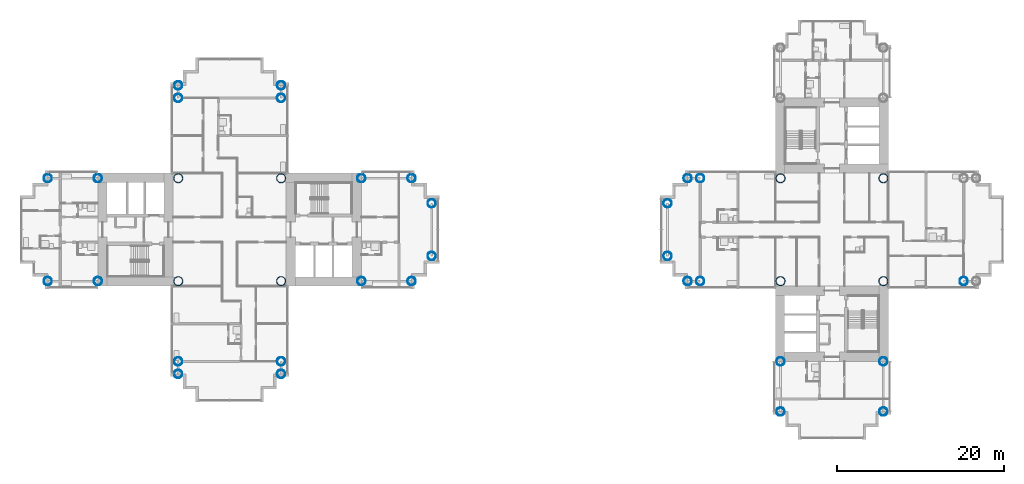
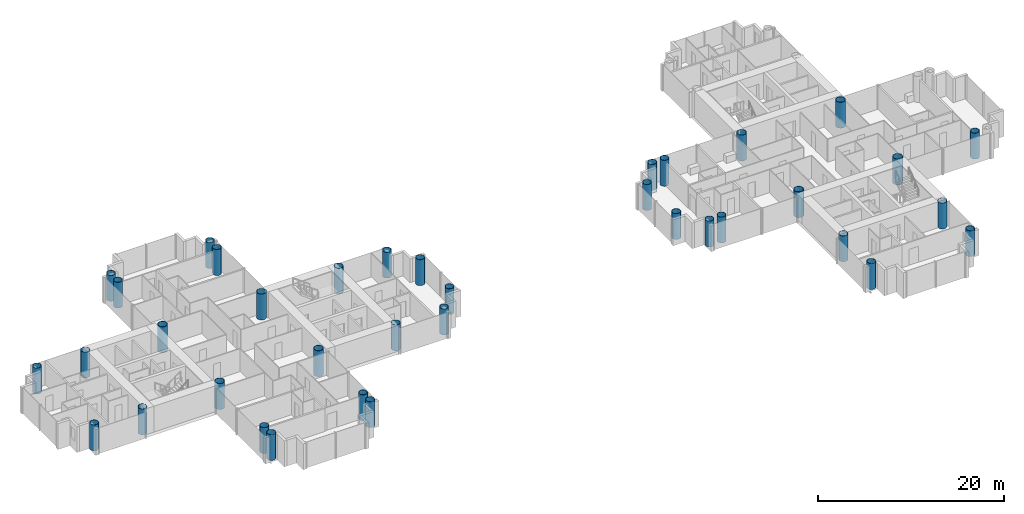
# One storey, part 1 of 21: 37 columns.
"""IFC4 building model written with IfcOpenShell, lengths in metres."""

import ifcopenshell
import ifcopenshell.guid

model = None  # the IFC model being written
_history = None  # IfcOwnerHistory: only IFC2X3 demands one
_inside = {}  # id of a spatial element -> (the spatial element, [elements in it])
_under = {}  # id of a project, library or spatial element -> (it, [spatial elements below it])
_declared = {}  # id of a project -> (the project, [libraries it declares])
_typed = {}  # id of a type object -> (the type object, [elements of that type])
_made_of = {}  # id of a material, layer set ... -> (it, [elements and type objects made of it])


def new_model(schema):
    """Start an empty IFC model of exactly this schema.

    Asked for "IFC4X3", IfcOpenShell would pick the latest addendum, in which some entities
    have other attributes; the version numbers below select the first issue.
    IFC2X3 requires an IfcOwnerHistory on every rooted entity: one is made here for all.
    """
    global model, _history
    if schema == "IFC4X3":
        model = ifcopenshell.file(schema_version=(4, 3, 0, 0))
    else:
        model = ifcopenshell.file(schema=schema)
    _inside.clear()
    _under.clear()
    _declared.clear()
    _typed.clear()
    _made_of.clear()
    _history = None
    if model.schema == "IFC2X3":
        org = make("IfcOrganization", Name="unknown")
        user = make(
            "IfcPersonAndOrganization",
            ThePerson=make("IfcPerson", FamilyName="unknown"),
            TheOrganization=org,
        )
        app = make(
            "IfcApplication",
            ApplicationDeveloper=org,
            Version="unknown",
            ApplicationFullName="unknown",
            ApplicationIdentifier="unknown",
        )
        _history = make(
            "IfcOwnerHistory",
            OwningUser=user,
            OwningApplication=app,
            ChangeAction="ADDED",
            CreationDate=0,
        )
    return model


def make(cls, **values):
    """One entity of the class cls with the attributes given. An attribute that is None is left unset."""
    return model.create_entity(
        cls, **{name: value for name, value in values.items() if value is not None}
    )


def rooted(cls, **values):
    """An entity with a GlobalId (a new one), such as an element, a storey or a relation."""
    return make(cls, GlobalId=ifcopenshell.guid.new(), OwnerHistory=_history, **values)


def si_unit(unit_type, name, prefix=None):
    """IfcSIUnit, for example si_unit("LENGTHUNIT", "METRE", prefix="MILLI")."""
    return make("IfcSIUnit", UnitType=unit_type, Prefix=prefix, Name=name)


def assignment(units):
    """IfcUnitAssignment: the units of a project."""
    return None if units is None else make("IfcUnitAssignment", Units=units)


def point(xyz):
    """IfcCartesianPoint."""
    return None if xyz is None else make("IfcCartesianPoint", Coordinates=xyz)


def direction(xyz):
    """IfcDirection."""
    return None if xyz is None else make("IfcDirection", DirectionRatios=xyz)


def frame(location, z_axis=None, x_axis=None):
    """IfcAxis2Placement3D, a coordinate frame: its origin and axes. An axis left out is left unset."""
    return make(
        "IfcAxis2Placement3D",
        Location=point(location),
        Axis=direction(z_axis),
        RefDirection=direction(x_axis),
    )


def frame_2d(location, x_axis=None):
    """IfcAxis2Placement2D, a coordinate frame in the plane: its origin and x axis."""
    return make(
        "IfcAxis2Placement2D", Location=point(location), RefDirection=direction(x_axis)
    )


def origin():
    """The frame at (0, 0, 0) with its axes left unset."""
    return frame((0.0, 0.0, 0.0))


def origin_2d():
    """The frame at (0, 0) in the plane with its x axis left unset."""
    return frame_2d((0.0, 0.0))


def place(relative_to, where):
    """IfcLocalPlacement: puts the frame where relative to a parent placement (None: the world)."""
    return make(
        "IfcLocalPlacement", PlacementRelTo=relative_to, RelativePlacement=where
    )


def context(
    kind, dimensions, precision=None, world=None, true_north=None, identifier=None
):
    """IfcGeometricRepresentationContext, for example the 3D "Model" context."""
    return make(
        "IfcGeometricRepresentationContext",
        ContextIdentifier=identifier,
        ContextType=kind,
        CoordinateSpaceDimension=dimensions,
        Precision=precision,
        WorldCoordinateSystem=world,
        TrueNorth=true_north,
    )


def subcontext(parent, identifier, kind, view, scale=None):
    """IfcGeometricRepresentationSubContext, for example "Body" below "Model"."""
    return make(
        "IfcGeometricRepresentationSubContext",
        ContextIdentifier=identifier,
        ContextType=kind,
        ParentContext=parent,
        TargetScale=scale,
        TargetView=view,
    )


def project(units=None, contexts=None):
    """IfcProject with its units and contexts."""
    return rooted(
        "IfcProject",
        Name="project",
        RepresentationContexts=contexts,
        UnitsInContext=assignment(units),
    )


def spatial(cls, under=None, at=None, **own):
    """A site, building, storey or space (cls), placed at a placement, below another one or the project."""
    s = rooted(cls, ObjectPlacement=at, **own)
    if under is not None:
        _under.setdefault(under.id(), (under, []))[1].append(s)
    return s


def profile(cls, at=None, kind="AREA", **sizes):
    """A parametric profile (cls). Its sizes go by their IFC names, for example OverallWidth=200.0."""
    return make(cls, ProfileType=kind, Position=at, **sizes)


def hollow_circle(**sizes):
    """IfcCircleHollowProfileDef."""
    return profile("IfcCircleHollowProfileDef", **sizes)


def extrude(swept, where, along, depth):
    """IfcExtrudedAreaSolid: the profile swept, set in the frame where, extruded along a direction by depth."""
    return make(
        "IfcExtrudedAreaSolid",
        SweptArea=swept,
        Position=where,
        ExtrudedDirection=direction(along),
        Depth=depth,
    )


def shape(context_of_items, identifier, shape_type, items):
    """IfcShapeRepresentation: the items that make up one representation, for example the "Body"."""
    return make(
        "IfcShapeRepresentation",
        ContextOfItems=context_of_items,
        RepresentationIdentifier=identifier,
        RepresentationType=shape_type,
        Items=items,
    )


def material(Name=None, Category=None):
    """IfcMaterial."""
    return make("IfcMaterial", Name=Name, Category=Category)


def material_profile(
    of_material, cross_section, Name=None, Category=None, Priority=None
):
    """IfcMaterialProfile: a cross section and its material."""
    return make(
        "IfcMaterialProfile",
        Name=Name,
        Material=of_material,
        Profile=cross_section,
        Priority=Priority,
        Category=Category,
    )


def profile_set(profiles, Name=None, composite=None):
    """IfcMaterialProfileSet."""
    return make(
        "IfcMaterialProfileSet",
        Name=Name,
        MaterialProfiles=profiles,
        CompositeProfile=composite,
    )


def made_of(thing, what):
    """Note that an element or type object is made of a material, layer set ...; save() writes the relation."""
    if what is not None:
        _made_of.setdefault(what.id(), (what, []))[1].append(thing)
    return thing


def type_object(cls, material=None, **own):
    """A type object (cls), such as IfcWallType, which elements share."""
    return made_of(rooted(cls, **own), material)


def element(
    cls,
    number,
    at=None,
    inside=None,
    cuts=None,
    type_object=None,
    material=None,
    context=None,
    identifier="Body",
    shape_type=None,
    held_by="IfcProductDefinitionShape",
    body=None,
    shapes=None,
    **own,
):
    """One element of the class cls, such as IfcWall. Its Tag is "e" and its number.

    at: its placement. inside: the storey or other place that contains it. cuts: it is an
    opening in that element (IfcRelVoidsElement). A single representation is given by context,
    identifier, shape_type and body (its items); several are given by shapes. held_by: the class
    of the entity that holds the representations. save() writes the other relations.
    """
    e = rooted(cls, Tag="e%d" % number, ObjectPlacement=at, **own)
    if body is not None:
        shapes = [shape(context, identifier, shape_type, body)]
    if shapes is not None:
        e.Representation = make(held_by, Representations=shapes)
    if inside is not None:
        _inside.setdefault(inside.id(), (inside, []))[1].append(e)
    if cuts is not None:
        rooted(
            "IfcRelVoidsElement", RelatingBuildingElement=cuts, RelatedOpeningElement=e
        )
    if type_object is not None:
        _typed.setdefault(type_object.id(), (type_object, []))[1].append(e)
    return made_of(e, material)


def aggregate(whole, parts):
    """IfcRelAggregates: a whole, such as a stair, and the parts it consists of."""
    return rooted("IfcRelAggregates", RelatingObject=whole, RelatedObjects=parts)


def save(model, path):
    """Write the relations noted so far, then the file.

    IfcRelAggregates (storeys below a building ...), IfcRelContainedInSpatialStructure (elements
    in a storey), IfcRelDefinesByType, IfcRelAssociatesMaterial and IfcRelDeclares: one each for
    every whole, place, type object, material and project.
    """
    for whole, parts in _under.values():
        aggregate(whole, parts)
    for where, things in _inside.values():
        rooted(
            "IfcRelContainedInSpatialStructure",
            RelatedElements=things,
            RelatingStructure=where,
        )
    for kind, things in _typed.values():
        rooted("IfcRelDefinesByType", RelatedObjects=things, RelatingType=kind)
    for what, things in _made_of.values():
        rooted("IfcRelAssociatesMaterial", RelatedObjects=things, RelatingMaterial=what)
    for by, libraries in _declared.values():
        rooted("IfcRelDeclares", RelatingContext=by, RelatedDefinitions=libraries)
    model.write(path)


model = new_model("IFC4")

# Units and contexts
model_context = context("Model", 3, precision=1e-05, world=origin(), true_north=direction((0.0, 1.0)))
body_context = subcontext(model_context, "Body", "Model", "MODEL_VIEW")
ifc_project = project(units=[si_unit("LENGTHUNIT", "METRE"), si_unit("AREAUNIT", "SQUARE_METRE"), si_unit("VOLUMEUNIT", "CUBIC_METRE"), si_unit("PLANEANGLEUNIT", "RADIAN"), si_unit("MASSUNIT", "GRAM", prefix="KILO")], contexts=[model_context])

# Site, building, storey
site_placement = place(None, origin())
site = spatial("IfcSite", under=ifc_project, at=site_placement, CompositionType="ELEMENT")
building_placement = place(site_placement, origin())
building = spatial("IfcBuilding", under=site, at=building_placement, Name="Ipe Terrace Towers", CompositionType="ELEMENT")
storey_placement = place(building_placement, frame((0.0, 0.0, 41.5)))
storey = spatial("IfcBuildingStorey", under=building, at=storey_placement, Name="L10", CompositionType="ELEMENT", Elevation=41.5)

# Columns
ifc_material_1 = material(Name="Steel S355 tube with Concrete C60/75 fill", Category="concrete")
ifc_material_profile_1 = material_profile(ifc_material_1, hollow_circle(Radius=0.5, WallThickness=0.035888671875, at=origin_2d()), Name="CHS-1000x36")
ifc_profile_set_1 = profile_set([ifc_material_profile_1], Name="Steel S355 tube with Concrete C60/75 fill")
column_type_1 = type_object("IfcColumnType", Name="CH01 COLUMN CHS-1000x36", PredefinedType="COLUMN", material=ifc_profile_set_1)
for number, where, z_axis, x_axis, name in (
    (1, (-20.25, -6.14990234375, 0.0), (0.0, 0.0, 1.0), (1.0, 0.0, 0.0), "Column T1-C-A01"),
    (2, (-20.25, 6.14990234375, 0.0), (0.0, 0.0, 1.0), (1.0, 0.0, 0.0), "Column T1-C-A02"),
    (3, (-14.25, -6.14990234375, 0.0), (0.0, 0.0, 1.0), (1.0, 0.0, 0.0), "Column T1-C-A03"),
    (4, (-14.25, 6.14990234375, 0.0), (0.0, 0.0, 1.0), (1.0, 0.0, 0.0), "Column T1-C-A04"),
    (5, (-11.85009765625, -3.14990234375, 0.0), (0.0, 0.0, 1.0), (1.0, 0.0, 0.0), "Column T1-C-A05"),
    (6, (-11.85009765625, 3.14990234375, 0.0), (0.0, 0.0, 1.0), (1.0, 0.0, 0.0), "Column T1-C-A06"),
    (7, (-29.85009765625, 15.75, 0.0), (0.0, 0.0, 1.0), (1.0, 0.0, 0.0), "Column T1-C-B03"),
    (8, (-42.14990234375, 15.75, 0.0), (0.0, 0.0, 1.0), (1.0, 0.0, 0.0), "Column T1-C-B04"),
    (9, (-29.85009765625, 17.25, 0.0), (0.0, 0.0, 1.0), (1.0, 0.0, 0.0), "Column T1-C-B05"),
    (10, (-42.14990234375, 17.25, 0.0), (0.0, 0.0, 1.0), (1.0, 0.0, 0.0), "Column T1-C-B06"),
    (11, (-51.75, -6.14990234375, 0.0), (0.0, 0.0, 1.0), (1.0, 0.0, 0.0), "Column T1-C-C01"),
    (12, (-51.75, 6.14990234375, 0.0), (0.0, 0.0, 1.0), (1.0, 0.0, 0.0), "Column T1-C-C02"),
    (13, (-57.75, -6.14990234375, 0.0), (0.0, 0.0, 1.0), (1.0, 0.0, 0.0), "Column T1-C-C03"),
    (14, (-57.75, 6.14990234375, 0.0), (0.0, 0.0, 1.0), (1.0, 0.0, 0.0), "Column T1-C-C04"),
    (15, (-42.14990234375, -15.75, 0.0), (0.0, 0.0, 1.0), (1.0, 0.0, 0.0), "Column T1-C-D03"),
    (16, (-29.85009765625, -15.75, 0.0), (0.0, 0.0, 1.0), (1.0, 0.0, 0.0), "Column T1-C-D04"),
    (17, (-42.14990234375, -17.25, 0.0), (0.0, 0.0, 1.0), (1.0, 0.0, 0.0), "Column T1-C-D05"),
    (18, (-29.85009765625, -17.25, 0.0), (0.0, 0.0, 1.0), (1.0, 0.0, 0.0), "Column T1-C-D06"),
    (19, (20.25, 6.14990234375, 0.0), (0.0, 0.0, 1.0), (1.0, 0.0, 0.0), "Column T2-C-B03"),
    (20, (20.25, -6.14990234375, 0.0), (0.0, 0.0, 1.0), (1.0, 0.0, 0.0), "Column T2-C-B04"),
    (21, (18.75, 6.14990234375, 0.0), (0.0, 0.0, 1.0), (1.0, 0.0, 0.0), "Column T2-C-B05"),
    (22, (18.75, -6.14990234375, 0.0), (0.0, 0.0, 1.0), (1.0, 0.0, 0.0), "Column T2-C-B06"),
    (23, (16.35009765625, 3.14990234375, 0.0), (0.0, 0.0, 1.0), (1.0, 0.0, 0.0), "Column T2-C-B07"),
    (24, (16.35009765625, -3.14990234375, 0.0), (0.0, 0.0, 1.0), (1.0, 0.0, 0.0), "Column T2-C-B08"),
    (25, (42.14990234375, -15.75, 0.0), (0.0, 0.0, 1.0), (1.0, 0.0, 0.0), "Column T2-C-C01"),
    (26, (29.85009765625, -15.75, 0.0), (0.0, 0.0, 1.0), (1.0, 0.0, 0.0), "Column T2-C-C02"),
    (27, (42.14990234375, -21.75, 0.0), (0.0, 0.0, 1.0), (1.0, 0.0, 0.0), "Column T2-C-C03"),
    (28, (29.85009765625, -21.75, 0.0), (0.0, 0.0, 1.0), (1.0, 0.0, 0.0), "Column T2-C-C04"),
    (29, (51.75, -6.14990234375, 0.0), (0.0, 0.0, 1.0), (1.0, 0.0, 0.0), "Column T2-C-D03"),
):
    element("IfcColumn", number, at=place(storey_placement, frame(where, z_axis=z_axis, x_axis=x_axis)), inside=storey, type_object=column_type_1, Name=name, PredefinedType="COLUMN", context=body_context, shape_type="SweptSolid", body=[
        extrude(hollow_circle(Radius=0.5, WallThickness=0.035888671875, at=origin_2d()), origin(), (0.0, 0.0, 1.0), 3.39990234375),
    ])
ifc_material_2 = material(Name="Steel S355 tube with Concrete C60/75 fill", Category="concrete")
ifc_material_profile_2 = material_profile(ifc_material_2, hollow_circle(Radius=0.550048828125, WallThickness=0.0400390625, at=origin_2d()), Name="CHS-1100x40")
ifc_profile_set_2 = profile_set([ifc_material_profile_2], Name="Steel S355 tube with Concrete C60/75 fill")
column_type_2 = type_object("IfcColumnType", Name="CH02 COLUMN CHS-1100x40", PredefinedType="COLUMN", material=ifc_profile_set_2)
for number, where, z_axis, x_axis, name in (
    (30, (-42.14990234375, -6.14990234375, 0.0), (0.0, 0.0, 1.0), (1.0, 0.0, 0.0), "Column T1-C-E01"),
    (31, (-29.85009765625, -6.14990234375, 0.0), (0.0, 0.0, 1.0), (1.0, 0.0, 0.0), "Column T1-C-E02"),
    (32, (-29.85009765625, 6.14990234375, 0.0), (0.0, 0.0, 1.0), (1.0, 0.0, 0.0), "Column T1-C-E03"),
    (33, (-42.14990234375, 6.14990234375, 0.0), (0.0, 0.0, 1.0), (1.0, 0.0, 0.0), "Column T1-C-E04"),
    (34, (42.14990234375, -6.14990234375, 0.0), (0.0, 0.0, 1.0), (1.0, 0.0, 0.0), "Column T2-C-E01"),
    (35, (42.14990234375, 6.14990234375, 0.0), (0.0, 0.0, 1.0), (1.0, 0.0, 0.0), "Column T2-C-E02"),
    (36, (29.85009765625, 6.14990234375, 0.0), (0.0, 0.0, 1.0), (1.0, 0.0, 0.0), "Column T2-C-E03"),
    (37, (29.85009765625, -6.14990234375, 0.0), (0.0, 0.0, 1.0), (1.0, 0.0, 0.0), "Column T2-C-E04"),
):
    element("IfcColumn", number, at=place(storey_placement, frame(where, z_axis=z_axis, x_axis=x_axis)), inside=storey, type_object=column_type_2, Name=name, PredefinedType="COLUMN", context=body_context, shape_type="SweptSolid", body=[
        extrude(hollow_circle(Radius=0.550048828125, WallThickness=0.0400390625, at=origin_2d()), origin(), (0.0, 0.0, 1.0), 3.39990234375),
    ])

save(model, "model.ifc")
